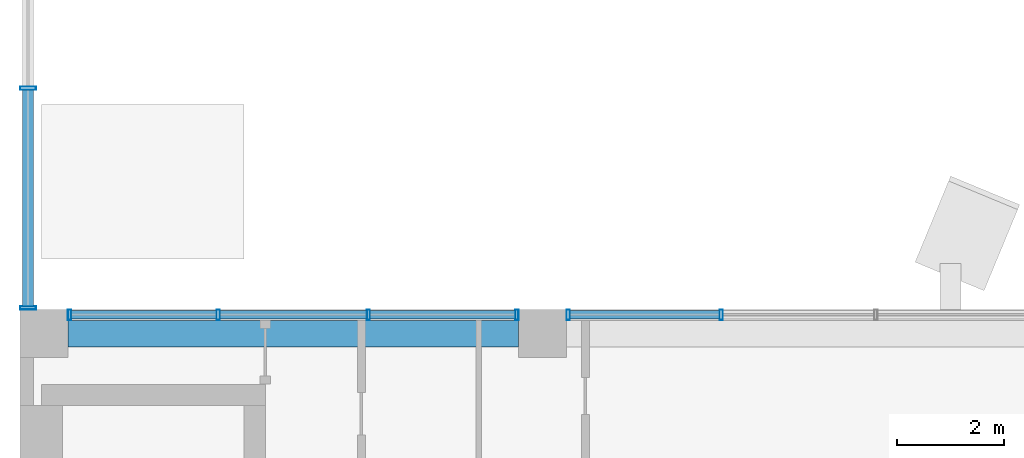
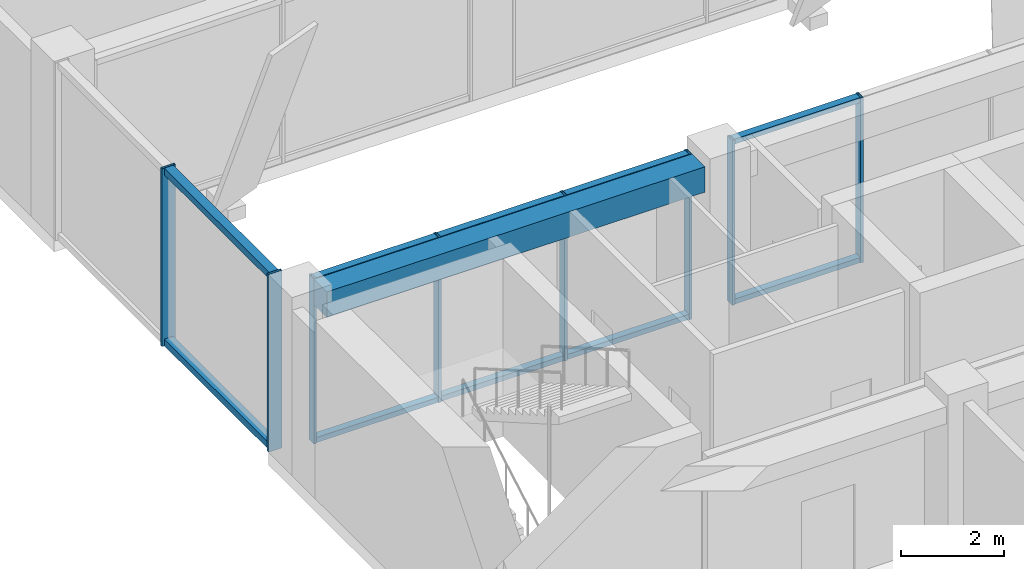
# One storey, part 6 of 36: 18 members, 1 beam, 3 elements without a shape of their own.
"""IFC4 building model written with IfcOpenShell, lengths in metres."""

from ifc_helpers import new_model, si_unit, direction, frame, origin, origin_2d, place, context, subcontext, project, spatial, rectangle, hollow_rectangle, extrude, material, layer, layer_set, material_profile, profile_set, type_object, element, aggregate, save


model = new_model("IFC4")

# Units and contexts
model_context = context("Model", 3, precision=1e-05, world=origin(), true_north=direction((0.0, 1.0)))
body_context = subcontext(model_context, "Body", "Model", "MODEL_VIEW")
ifc_project = project(units=[si_unit("LENGTHUNIT", "METRE"), si_unit("AREAUNIT", "SQUARE_METRE"), si_unit("VOLUMEUNIT", "CUBIC_METRE"), si_unit("PLANEANGLEUNIT", "RADIAN"), si_unit("MASSUNIT", "GRAM", prefix="KILO")], contexts=[model_context])

# Site, building, storey
site_placement = place(None, origin())
site = spatial("IfcSite", under=ifc_project, at=site_placement, CompositionType="ELEMENT")
building_placement = place(site_placement, origin())
building = spatial("IfcBuilding", under=site, at=building_placement, Name="Nzadi Deep Aquarium and Research Tower", CompositionType="ELEMENT")
storey_placement = place(building_placement, frame((0.0, 0.0, 36.10009765625)))
storey = spatial("IfcBuildingStorey", under=building, at=storey_placement, Name="L06", CompositionType="ELEMENT", Elevation=36.10009765625)

# Curtain wall, members
ifc_material_1 = material(Name="Aluminium unitised frame", Category="aluminium")
ifc_layer_1 = layer(ifc_material_1, 0.199951171875)
ifc_layer_set_1 = layer_set([ifc_layer_1], Name="Aluminium unitised frame")
curtain_wall_type_1 = type_object("IfcCurtainWallType", Name="Curtain wall Unitised 200", PredefinedType="NOTDEFINED", material=ifc_layer_set_1)
curtain_wall_1_placement = place(storey_placement, origin())
curtain_wall_1 = element("IfcCurtainWall", 1, at=curtain_wall_1_placement, inside=storey, type_object=curtain_wall_type_1, Name="Unitised curtain wall blade A north L06", PredefinedType="NOTDEFINED")
ifc_material_2 = material(Name="Aluminium unitised frame", Category="aluminium")
ifc_material_profile_1 = material_profile(ifc_material_2, hollow_rectangle(XDim=0.199951171875, YDim=0.06005859375, WallThickness=0.0048828125, at=origin_2d()))
ifc_profile_set_1 = profile_set([ifc_material_profile_1], Name="Aluminium unitised frame")
member_type_1 = type_object("IfcMemberType", Name="Mullion 60x200 Unitised", PredefinedType="MULLION", material=ifc_profile_set_1)
member_1_placement = place(storey_placement, frame((0.72998046875, 18.75, 0.0), z_axis=(0.0, 0.0, 1.0), x_axis=(0.0, 1.0, 0.0)))
member_1 = element("IfcMember", 2, at=member_1_placement, type_object=member_type_1, Name="CW009 mullion 1", PredefinedType="MULLION", context=body_context, shape_type="SweptSolid", body=[
    extrude(hollow_rectangle(XDim=0.199951171875, YDim=0.06005859375, WallThickness=0.0048828125, at=origin_2d()), origin(), (0.0, 0.0, 1.0), 3.89990234375),
])
member_2_placement = place(storey_placement, frame((3.5166015625, 18.75, 0.0), z_axis=(0.0, 0.0, 1.0), x_axis=(0.0, 1.0, 0.0)))
member_2 = element("IfcMember", 3, at=member_2_placement, type_object=member_type_1, Name="CW009 mullion 2", PredefinedType="MULLION", context=body_context, shape_type="SweptSolid", body=[
    extrude(hollow_rectangle(XDim=0.199951171875, YDim=0.06005859375, WallThickness=0.0048828125, at=origin_2d()), origin(), (0.0, 0.0, 1.0), 3.89990234375),
])
member_3_placement = place(storey_placement, frame((6.333251953125, 18.75, 0.0), z_axis=(0.0, 0.0, 1.0), x_axis=(0.0, 1.0, 0.0)))
member_3 = element("IfcMember", 4, at=member_3_placement, type_object=member_type_1, Name="CW009 mullion 3", PredefinedType="MULLION", context=body_context, shape_type="SweptSolid", body=[
    extrude(hollow_rectangle(XDim=0.199951171875, YDim=0.06005859375, WallThickness=0.0048828125, at=origin_2d()), origin(), (0.0, 0.0, 1.0), 3.89990234375),
])
member_4_placement = place(storey_placement, frame((9.1201171875, 18.75, 0.0), z_axis=(0.0, 0.0, 1.0), x_axis=(0.0, 1.0, 0.0)))
member_4 = element("IfcMember", 5, at=member_4_placement, type_object=member_type_1, Name="CW009 mullion 4", PredefinedType="MULLION", context=body_context, shape_type="SweptSolid", body=[
    extrude(hollow_rectangle(XDim=0.199951171875, YDim=0.06005859375, WallThickness=0.0048828125, at=origin_2d()), origin(), (0.0, 0.0, 1.0), 3.89990234375),
])

curtain_wall_2_placement = place(storey_placement, origin())
curtain_wall_2 = element("IfcCurtainWall", 6, at=curtain_wall_2_placement, inside=storey, type_object=curtain_wall_type_1, Name="Unitised curtain wall blade A north L06", PredefinedType="NOTDEFINED")
member_5_placement = place(storey_placement, frame((10.080078125, 18.75, 0.0), z_axis=(0.0, 0.0, 1.0), x_axis=(0.0, 1.0, 0.0)))
member_5 = element("IfcMember", 7, at=member_5_placement, type_object=member_type_1, Name="CW010 mullion 1", PredefinedType="MULLION", context=body_context, shape_type="SweptSolid", body=[
    extrude(hollow_rectangle(XDim=0.199951171875, YDim=0.06005859375, WallThickness=0.0048828125, at=origin_2d()), origin(), (0.0, 0.0, 1.0), 3.89990234375),
])
member_6_placement = place(storey_placement, frame((12.949951171875, 18.75, 0.0), z_axis=(0.0, 0.0, 1.0), x_axis=(0.0, 1.0, 0.0)))
member_6 = element("IfcMember", 8, at=member_6_placement, type_object=member_type_1, Name="CW010 mullion 2", PredefinedType="MULLION", context=body_context, shape_type="SweptSolid", body=[
    extrude(hollow_rectangle(XDim=0.199951171875, YDim=0.06005859375, WallThickness=0.0048828125, at=origin_2d()), origin(), (0.0, 0.0, 1.0), 3.89990234375),
])

ifc_material_3 = material(Name="Aluminium unitised frame wind post", Category="aluminium")
ifc_layer_2 = layer(ifc_material_3, 0.300048828125)
ifc_layer_set_2 = layer_set([ifc_layer_2], Name="Aluminium unitised frame wind post")
curtain_wall_type_2 = type_object("IfcCurtainWallType", Name="Curtain wall Slot End 300", PredefinedType="NOTDEFINED", material=ifc_layer_set_2)
curtain_wall_3_placement = place(storey_placement, origin())
curtain_wall_3 = element("IfcCurtainWall", 9, at=curtain_wall_3_placement, inside=storey, type_object=curtain_wall_type_2, Name="Glazed slot end west L06", PredefinedType="NOTDEFINED")
ifc_material_4 = material(Name="Aluminium unitised frame wind post", Category="aluminium")
ifc_material_profile_2 = material_profile(ifc_material_4, hollow_rectangle(XDim=0.300048828125, YDim=0.06005859375, WallThickness=0.0048828125, at=origin_2d()))
ifc_profile_set_2 = profile_set([ifc_material_profile_2], Name="Aluminium unitised frame wind post")
member_type_2 = type_object("IfcMemberType", Name="Mullion 60x300 Slot End", PredefinedType="MULLION", material=ifc_profile_set_2)
member_7_placement = place(storey_placement, frame((-0.049560546875, 18.8798828125, 0.0), z_axis=(0.0, 0.0, 1.0), x_axis=(-1.0, 0.0, 0.0)))
member_7 = element("IfcMember", 10, at=member_7_placement, type_object=member_type_2, Name="CW203 mullion 1", PredefinedType="MULLION", context=body_context, shape_type="SweptSolid", body=[
    extrude(hollow_rectangle(XDim=0.300048828125, YDim=0.06005859375, WallThickness=0.0048828125, at=origin_2d()), origin(), (0.0, 0.0, 1.0), 4.199951171875),
])
member_8_placement = place(storey_placement, frame((-0.049560546875, 23.0, 0.0), z_axis=(0.0, 0.0, 1.0), x_axis=(-1.0, 0.0, 0.0)))
member_8 = element("IfcMember", 11, at=member_8_placement, type_object=member_type_2, Name="CW203 mullion 2", PredefinedType="MULLION", context=body_context, shape_type="SweptSolid", body=[
    extrude(hollow_rectangle(XDim=0.300048828125, YDim=0.06005859375, WallThickness=0.0048828125, at=origin_2d()), origin(), (0.0, 0.0, 1.0), 4.199951171875),
])

# Beam
ifc_material_5 = material(Name="Concrete C35/45", Category="concrete")
ifc_material_profile_3 = material_profile(ifc_material_5, rectangle(XDim=0.5, YDim=0.60009765625, at=origin_2d()))
ifc_profile_set_3 = profile_set([ifc_material_profile_3], Name="Concrete C35/45")
beam_type = type_object("IfcBeamType", Name="RC 500x600", PredefinedType="BEAM", material=ifc_profile_set_3)
beam_placement = place(storey_placement, frame((0.699951171875, 18.39990234375, 3.599853515625), z_axis=(1.0, 0.0, 0.0), x_axis=(0.0, 1.0, 0.0)))
element("IfcBeam", 12, at=beam_placement, inside=storey, type_object=beam_type, Name="B-Z1-L06-L3-1", PredefinedType="BEAM", context=body_context, shape_type="SweptSolid", body=[
    extrude(rectangle(XDim=0.5, YDim=0.60009765625, at=origin_2d()), origin(), (0.0, 0.0, 1.0), 8.449951171875),
])

# Member
ifc_material_6 = material(Name="Aluminium unitised frame", Category="aluminium")
ifc_material_profile_4 = material_profile(ifc_material_6, hollow_rectangle(XDim=0.159912109375, YDim=0.1201171875, WallThickness=0.0048828125, at=origin_2d()))
ifc_profile_set_4 = profile_set([ifc_material_profile_4], Name="Aluminium unitised frame")
member_type_3 = type_object("IfcMemberType", Name="Transom 120x160 Unitised", PredefinedType="MULLION", material=ifc_profile_set_4)
member_9_placement = place(storey_placement, frame((0.760009765625, 18.75, 0.059814453125), z_axis=(1.0, 0.0, 0.0), x_axis=(0.0, 1.0, 0.0)))
member_9 = element("IfcMember", 13, at=member_9_placement, type_object=member_type_3, Name="CW009 transom 1.1", PredefinedType="MULLION", context=body_context, shape_type="SweptSolid", body=[
    extrude(hollow_rectangle(XDim=0.159912109375, YDim=0.1201171875, WallThickness=0.0048828125, at=origin_2d()), origin(), (0.0, 0.0, 1.0), 2.7265625),
])

member_10_placement = place(storey_placement, frame((0.760009765625, 18.75, 3.83984375), z_axis=(1.0, 0.0, 0.0), x_axis=(0.0, 1.0, 0.0)))
member_10 = element("IfcMember", 14, at=member_10_placement, type_object=member_type_3, Name="CW009 transom 1.2", PredefinedType="MULLION", context=body_context, shape_type="SweptSolid", body=[
    extrude(hollow_rectangle(XDim=0.159912109375, YDim=0.1201171875, WallThickness=0.0048828125, at=origin_2d()), origin(), (0.0, 0.0, 1.0), 2.7265625),
])

member_11_placement = place(storey_placement, frame((3.546630859375, 18.75, 0.059814453125), z_axis=(1.0, 0.0, 0.0), x_axis=(0.0, 1.0, 0.0)))
member_11 = element("IfcMember", 15, at=member_11_placement, type_object=member_type_3, Name="CW009 transom 2.1", PredefinedType="MULLION", context=body_context, shape_type="SweptSolid", body=[
    extrude(hollow_rectangle(XDim=0.159912109375, YDim=0.1201171875, WallThickness=0.0048828125, at=origin_2d()), origin(), (0.0, 0.0, 1.0), 2.756591796875),
])

member_12_placement = place(storey_placement, frame((3.546630859375, 18.75, 3.83984375), z_axis=(1.0, 0.0, 0.0), x_axis=(0.0, 1.0, 0.0)))
member_12 = element("IfcMember", 16, at=member_12_placement, type_object=member_type_3, Name="CW009 transom 2.2", PredefinedType="MULLION", context=body_context, shape_type="SweptSolid", body=[
    extrude(hollow_rectangle(XDim=0.159912109375, YDim=0.1201171875, WallThickness=0.0048828125, at=origin_2d()), origin(), (0.0, 0.0, 1.0), 2.756591796875),
])

member_13_placement = place(storey_placement, frame((6.36328125, 18.75, 0.059814453125), z_axis=(1.0, 0.0, 0.0), x_axis=(0.0, 1.0, 0.0)))
member_13 = element("IfcMember", 17, at=member_13_placement, type_object=member_type_3, Name="CW009 transom 3.1", PredefinedType="MULLION", context=body_context, shape_type="SweptSolid", body=[
    extrude(hollow_rectangle(XDim=0.159912109375, YDim=0.1201171875, WallThickness=0.0048828125, at=origin_2d()), origin(), (0.0, 0.0, 1.0), 2.726806640625),
])

member_14_placement = place(storey_placement, frame((6.36328125, 18.75, 3.83984375), z_axis=(1.0, 0.0, 0.0), x_axis=(0.0, 1.0, 0.0)))
member_14 = element("IfcMember", 18, at=member_14_placement, type_object=member_type_3, Name="CW009 transom 3.2", PredefinedType="MULLION", context=body_context, shape_type="SweptSolid", body=[
    extrude(hollow_rectangle(XDim=0.159912109375, YDim=0.1201171875, WallThickness=0.0048828125, at=origin_2d()), origin(), (0.0, 0.0, 1.0), 2.726806640625),
])

aggregate(curtain_wall_1, [member_1, member_2, member_3, member_4, member_9, member_10, member_11, member_12, member_13, member_14])

member_15_placement = place(storey_placement, frame((10.110107421875, 18.75, 0.059814453125), z_axis=(1.0, 0.0, 0.0), x_axis=(0.0, 1.0, 0.0)))
member_15 = element("IfcMember", 19, at=member_15_placement, type_object=member_type_3, Name="CW010 transom 1.1", PredefinedType="MULLION", context=body_context, shape_type="SweptSolid", body=[
    extrude(hollow_rectangle(XDim=0.159912109375, YDim=0.1201171875, WallThickness=0.0048828125, at=origin_2d()), origin(), (0.0, 0.0, 1.0), 2.809814453125),
])

member_16_placement = place(storey_placement, frame((10.110107421875, 18.75, 3.83984375), z_axis=(1.0, 0.0, 0.0), x_axis=(0.0, 1.0, 0.0)))
member_16 = element("IfcMember", 20, at=member_16_placement, type_object=member_type_3, Name="CW010 transom 1.2", PredefinedType="MULLION", context=body_context, shape_type="SweptSolid", body=[
    extrude(hollow_rectangle(XDim=0.159912109375, YDim=0.1201171875, WallThickness=0.0048828125, at=origin_2d()), origin(), (0.0, 0.0, 1.0), 2.809814453125),
])

aggregate(curtain_wall_2, [member_5, member_6, member_15, member_16])

ifc_material_7 = material(Name="Aluminium unitised frame wind post", Category="aluminium")
ifc_material_profile_5 = material_profile(ifc_material_7, hollow_rectangle(XDim=0.199951171875, YDim=0.159912109375, WallThickness=0.0048828125, at=origin_2d()))
ifc_profile_set_5 = profile_set([ifc_material_profile_5], Name="Aluminium unitised frame wind post")
member_type_4 = type_object("IfcMemberType", Name="Transom 160x200 Slot End", PredefinedType="MULLION", material=ifc_profile_set_5)
member_17_placement = place(storey_placement, frame((-0.050048828125, 18.909912109375, 0.079833984375), z_axis=(0.0, 1.0, 0.0), x_axis=(-1.0, 0.0, 0.0)))
member_17 = element("IfcMember", 21, at=member_17_placement, type_object=member_type_4, Name="CW203 transom 1.1", PredefinedType="MULLION", context=body_context, shape_type="SweptSolid", body=[
    extrude(hollow_rectangle(XDim=0.199951171875, YDim=0.159912109375, WallThickness=0.0048828125, at=origin_2d()), origin(), (0.0, 0.0, 1.0), 4.06005859375),
])

member_18_placement = place(storey_placement, frame((-0.050048828125, 18.909912109375, 4.119873046875), z_axis=(0.0, 1.0, 0.0), x_axis=(-1.0, 0.0, 0.0)))
member_18 = element("IfcMember", 22, at=member_18_placement, type_object=member_type_4, Name="CW203 transom 1.2", PredefinedType="MULLION", context=body_context, shape_type="SweptSolid", body=[
    extrude(hollow_rectangle(XDim=0.199951171875, YDim=0.159912109375, WallThickness=0.0048828125, at=origin_2d()), origin(), (0.0, 0.0, 1.0), 4.06005859375),
])

aggregate(curtain_wall_3, [member_7, member_8, member_17, member_18])

save(model, "model.ifc")
